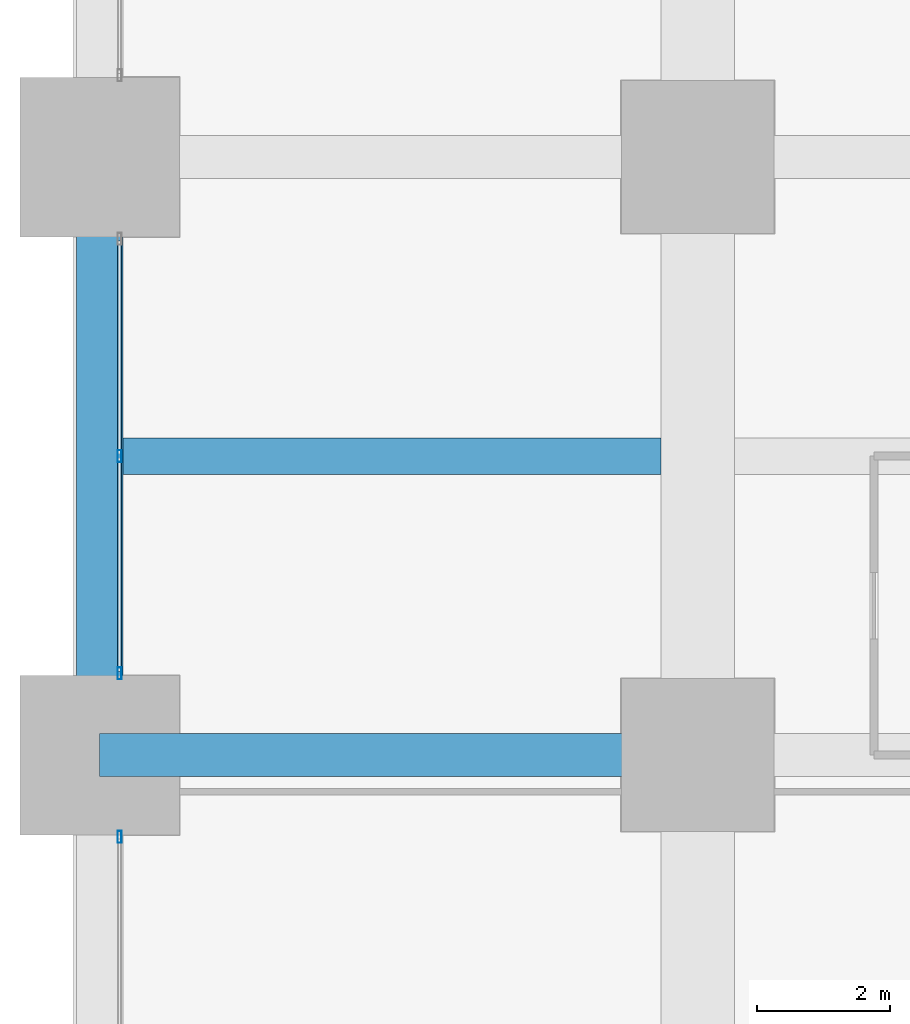
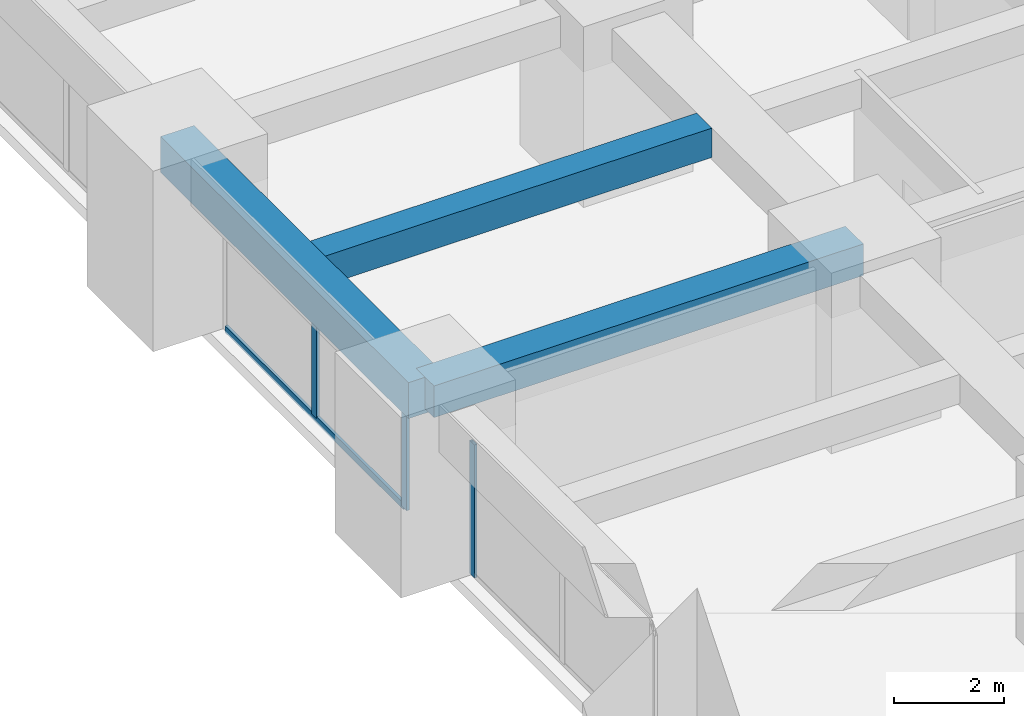
# One storey, part 9 of 45: 4 members, 3 beams, 2 elements without a shape of their own.
"""IFC4 building model written with IfcOpenShell, lengths in metres."""

from ifc_helpers import new_model, si_unit, direction, frame, origin, origin_2d, place, context, subcontext, project, spatial, rectangle, hollow_rectangle, extrude, material, material_profile, profile_set, type_object, element, aggregate, save


model = new_model("IFC4")

# Units and contexts
model_context = context("Model", 3, precision=1e-05, world=origin(), true_north=direction((0.0, 1.0)))
body_context = subcontext(model_context, "Body", "Model", "MODEL_VIEW")
ifc_project = project(units=[si_unit("LENGTHUNIT", "METRE"), si_unit("AREAUNIT", "SQUARE_METRE"), si_unit("VOLUMEUNIT", "CUBIC_METRE"), si_unit("PLANEANGLEUNIT", "RADIAN"), si_unit("MASSUNIT", "GRAM", prefix="KILO")], contexts=[model_context])

# Site, building, storey
site_placement = place(None, origin())
site = spatial("IfcSite", under=ifc_project, at=site_placement, CompositionType="ELEMENT")
building_placement = place(site_placement, origin())
building = spatial("IfcBuilding", under=site, at=building_placement, Name="Zorevar Civic Tower", CompositionType="ELEMENT")
storey_placement = place(building_placement, frame((0.0, 0.0, 39.800048828125)))
storey = spatial("IfcBuildingStorey", under=building, at=storey_placement, Name="L09", CompositionType="ELEMENT", Elevation=39.800048828125)

# Beams
ifc_material_1 = material(Name="Concrete C50/60", Category="concrete")
ifc_material_profile_1 = material_profile(ifc_material_1, rectangle(XDim=0.550048828125, YDim=0.64990234375, at=origin_2d()), Name="RC 550x650")
ifc_profile_set_1 = profile_set([ifc_material_profile_1], Name="Concrete C50/60")
beam_type_1 = type_object("IfcBeamType", Name="Beam RC 550x650", PredefinedType="BEAM", material=ifc_profile_set_1)
beam_1_placement = place(storey_placement, frame((0.35009765625, 22.5, 3.425048828125), z_axis=(1.0, 0.0, 0.0), x_axis=(0.0, 1.0, 0.0)))
element("IfcBeam", 1, at=beam_1_placement, inside=storey, type_object=beam_type_1, Name="Secondary beam L10", PredefinedType="BEAM", context=body_context, shape_type="SweptSolid", body=[
    extrude(rectangle(XDim=0.550048828125, YDim=0.64990234375, at=origin_2d()), origin(), (0.0, 0.0, 1.0), 8.099853515625),
])
ifc_material_2 = material(Name="Concrete C50/60", Category="concrete")
ifc_material_profile_2 = material_profile(ifc_material_2, rectangle(XDim=0.64990234375, YDim=0.699951171875, at=origin_2d()), Name="RC 650x700")
ifc_profile_set_2 = profile_set([ifc_material_profile_2], Name="Concrete C50/60")
beam_type_2 = type_object("IfcBeamType", Name="Beam RC 650x700", PredefinedType="BEAM", material=ifc_profile_set_2)
beam_2_placement = place(storey_placement, frame((0.0, 18.0, 3.39990234375), z_axis=(1.0, 0.0, 0.0), x_axis=(0.0, 1.0, 0.0)))
element("IfcBeam", 2, at=beam_2_placement, inside=storey, type_object=beam_type_2, Name="Girder L10", PredefinedType="BEAM", context=body_context, shape_type="SweptSolid", body=[
    extrude(rectangle(XDim=0.64990234375, YDim=0.699951171875, at=origin_2d()), origin(), (0.0, 0.0, 1.0), 9.0),
])

# Curtain wall, member
ifc_material_3 = material(Name="Dark grey solar-control glass in black aluminium frame", Category="aluminium")
curtain_wall_type = type_object("IfcCurtainWallType", Name="Curtain wall CW2 low zone", PredefinedType="NOTDEFINED", material=ifc_material_3)
curtain_wall_1_placement = place(storey_placement, origin())
curtain_wall_1 = element("IfcCurtainWall", 3, at=curtain_wall_1_placement, inside=storey, type_object=curtain_wall_type, Name="CW2 L09", PredefinedType="NOTDEFINED")
ifc_material_4 = material(Name="Aluminium, black anodised", Category="aluminium")
ifc_material_profile_3 = material_profile(ifc_material_4, hollow_rectangle(XDim=0.06005859375, YDim=0.179931640625, WallThickness=0.00390625, at=origin_2d()), Name="AL 180x60x4")
ifc_profile_set_3 = profile_set([ifc_material_profile_3], Name="Aluminium, black anodised")
member_type_1 = type_object("IfcMemberType", Name="CW2 mullion AL 180x60x4", PredefinedType="MULLION", material=ifc_profile_set_3)
member_1_placement = place(storey_placement, frame((0.300048828125, 16.77001953125, 0.0), z_axis=(0.0, 0.0, 1.0), x_axis=(-1.0, 0.0, 0.0)))
member_1 = element("IfcMember", 4, at=member_1_placement, type_object=member_type_1, Name="CW2 mullion 3", PredefinedType="MULLION", context=body_context, shape_type="SweptSolid", body=[
    extrude(hollow_rectangle(XDim=0.06005859375, YDim=0.179931640625, WallThickness=0.00390625, at=origin_2d()), origin(), (0.0, 0.0, 1.0), 2.949951171875),
])
aggregate(curtain_wall_1, [member_1])

# Curtain wall, members
curtain_wall_2_placement = place(storey_placement, origin())
curtain_wall_2 = element("IfcCurtainWall", 5, at=curtain_wall_2_placement, inside=storey, type_object=curtain_wall_type, Name="CW2 L09", PredefinedType="NOTDEFINED")
member_2_placement = place(storey_placement, frame((0.300048828125, 19.22998046875, 0.0), z_axis=(0.0, 0.0, 1.0), x_axis=(-1.0, 0.0, 0.0)))
member_2 = element("IfcMember", 6, at=member_2_placement, type_object=member_type_1, Name="CW2 mullion 1", PredefinedType="MULLION", context=body_context, shape_type="SweptSolid", body=[
    extrude(hollow_rectangle(XDim=0.06005859375, YDim=0.179931640625, WallThickness=0.00390625, at=origin_2d()), origin(), (0.0, 0.0, 1.0), 2.949951171875),
])
member_3_placement = place(storey_placement, frame((0.300048828125, 22.5, 0.06005859375), z_axis=(0.0, 0.0, 1.0), x_axis=(-1.0, 0.0, 0.0)))
member_3 = element("IfcMember", 7, at=member_3_placement, type_object=member_type_1, Name="CW2 mullion 2", PredefinedType="MULLION", context=body_context, shape_type="SweptSolid", body=[
    extrude(hollow_rectangle(XDim=0.06005859375, YDim=0.179931640625, WallThickness=0.00390625, at=origin_2d()), origin(), (0.0, 0.0, 1.0), 2.889892578125),
])
ifc_material_5 = material(Name="Aluminium, black anodised", Category="aluminium")
ifc_material_profile_4 = material_profile(ifc_material_5, hollow_rectangle(XDim=0.06005859375, YDim=0.14990234375, WallThickness=0.00390625, at=origin_2d()), Name="AL 150x60x4")
ifc_profile_set_4 = profile_set([ifc_material_profile_4], Name="Aluminium, black anodised")
member_type_2 = type_object("IfcMemberType", Name="CW2 transom AL 150x60x4", PredefinedType="USERDEFINED", material=ifc_profile_set_4)
member_4_placement = place(storey_placement, frame((0.300048828125, 19.260009765625, 0.030029296875), z_axis=(0.0, 1.0, 0.0), x_axis=(-1.0, 0.0, 0.0)))
member_4 = element("IfcMember", 8, at=member_4_placement, type_object=member_type_2, Name="CW2 sill transom", ObjectType="TRANSOM", PredefinedType="USERDEFINED", context=body_context, shape_type="SweptSolid", body=[
    extrude(hollow_rectangle(XDim=0.06005859375, YDim=0.14990234375, WallThickness=0.00390625, at=origin_2d()), origin(), (0.0, 0.0, 1.0), 6.47998046875),
])
aggregate(curtain_wall_2, [member_2, member_3, member_4])

# Beam
ifc_material_6 = material(Name="Concrete C50/60", Category="concrete")
ifc_material_profile_5 = material_profile(ifc_material_6, rectangle(XDim=0.699951171875, YDim=0.800048828125, at=origin_2d()), Name="RC 700x800")
ifc_profile_set_5 = profile_set([ifc_material_profile_5], Name="Concrete C50/60")
beam_type_3 = type_object("IfcBeamType", Name="Edge beam RC 700x800", PredefinedType="SPANDREL", material=ifc_profile_set_5)
beam_3_placement = place(storey_placement, frame((0.0, 18.0, 3.349853515625), z_axis=(0.0, 1.0, 0.0), x_axis=(-1.0, 0.0, 0.0)))
element("IfcBeam", 9, at=beam_3_placement, inside=storey, type_object=beam_type_3, Name="Edge beam L10", PredefinedType="SPANDREL", context=body_context, shape_type="SweptSolid", body=[
    extrude(rectangle(XDim=0.699951171875, YDim=0.800048828125, at=origin_2d()), origin(), (0.0, 0.0, 1.0), 9.0),
])

save(model, "model.ifc")
